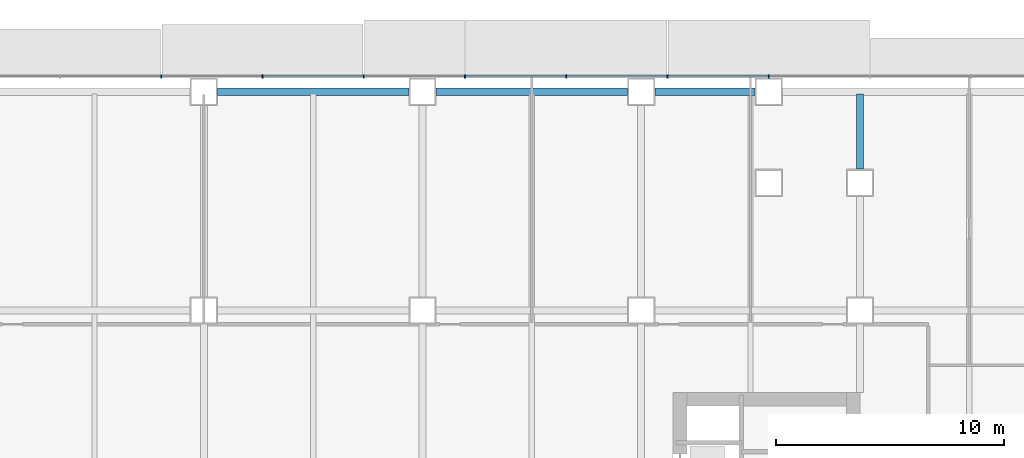
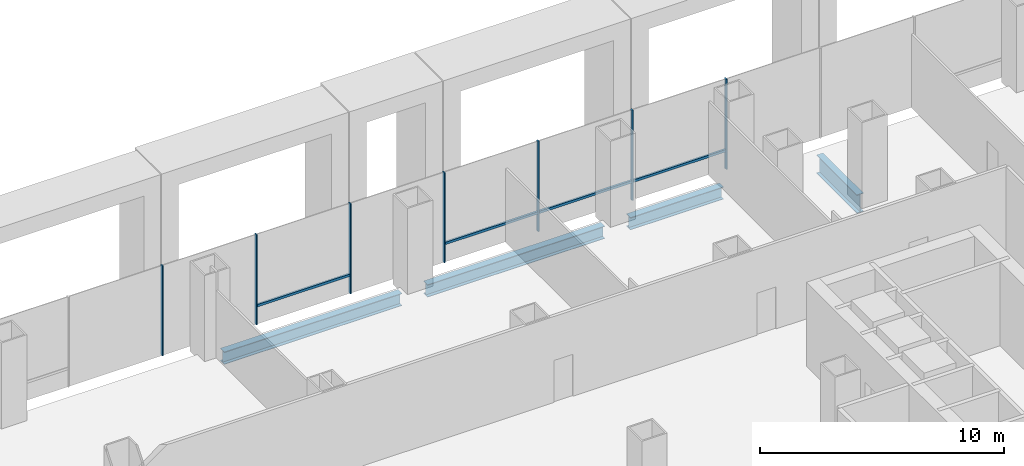
# One storey, part 9 of 23: 11 members, 4 beams, 1 element without a shape of its own.
"""IFC4 building model written with IfcOpenShell, lengths in metres."""

import ifcopenshell
import ifcopenshell.guid

model = None  # the IFC model being written
_history = None  # IfcOwnerHistory: only IFC2X3 demands one
_inside = {}  # id of a spatial element -> (the spatial element, [elements in it])
_under = {}  # id of a project, library or spatial element -> (it, [spatial elements below it])
_declared = {}  # id of a project -> (the project, [libraries it declares])
_typed = {}  # id of a type object -> (the type object, [elements of that type])
_made_of = {}  # id of a material, layer set ... -> (it, [elements and type objects made of it])


def new_model(schema):
    """Start an empty IFC model of exactly this schema.

    Asked for "IFC4X3", IfcOpenShell would pick the latest addendum, in which some entities
    have other attributes; the version numbers below select the first issue.
    IFC2X3 requires an IfcOwnerHistory on every rooted entity: one is made here for all.
    """
    global model, _history
    if schema == "IFC4X3":
        model = ifcopenshell.file(schema_version=(4, 3, 0, 0))
    else:
        model = ifcopenshell.file(schema=schema)
    _inside.clear()
    _under.clear()
    _declared.clear()
    _typed.clear()
    _made_of.clear()
    _history = None
    if model.schema == "IFC2X3":
        org = make("IfcOrganization", Name="unknown")
        user = make(
            "IfcPersonAndOrganization",
            ThePerson=make("IfcPerson", FamilyName="unknown"),
            TheOrganization=org,
        )
        app = make(
            "IfcApplication",
            ApplicationDeveloper=org,
            Version="unknown",
            ApplicationFullName="unknown",
            ApplicationIdentifier="unknown",
        )
        _history = make(
            "IfcOwnerHistory",
            OwningUser=user,
            OwningApplication=app,
            ChangeAction="ADDED",
            CreationDate=0,
        )
    return model


def make(cls, **values):
    """One entity of the class cls with the attributes given. An attribute that is None is left unset."""
    return model.create_entity(
        cls, **{name: value for name, value in values.items() if value is not None}
    )


def rooted(cls, **values):
    """An entity with a GlobalId (a new one), such as an element, a storey or a relation."""
    return make(cls, GlobalId=ifcopenshell.guid.new(), OwnerHistory=_history, **values)


def si_unit(unit_type, name, prefix=None):
    """IfcSIUnit, for example si_unit("LENGTHUNIT", "METRE", prefix="MILLI")."""
    return make("IfcSIUnit", UnitType=unit_type, Prefix=prefix, Name=name)


def assignment(units):
    """IfcUnitAssignment: the units of a project."""
    return None if units is None else make("IfcUnitAssignment", Units=units)


def point(xyz):
    """IfcCartesianPoint."""
    return None if xyz is None else make("IfcCartesianPoint", Coordinates=xyz)


def direction(xyz):
    """IfcDirection."""
    return None if xyz is None else make("IfcDirection", DirectionRatios=xyz)


def frame(location, z_axis=None, x_axis=None):
    """IfcAxis2Placement3D, a coordinate frame: its origin and axes. An axis left out is left unset."""
    return make(
        "IfcAxis2Placement3D",
        Location=point(location),
        Axis=direction(z_axis),
        RefDirection=direction(x_axis),
    )


def frame_2d(location, x_axis=None):
    """IfcAxis2Placement2D, a coordinate frame in the plane: its origin and x axis."""
    return make(
        "IfcAxis2Placement2D", Location=point(location), RefDirection=direction(x_axis)
    )


def origin():
    """The frame at (0, 0, 0) with its axes left unset."""
    return frame((0.0, 0.0, 0.0))


def origin_2d():
    """The frame at (0, 0) in the plane with its x axis left unset."""
    return frame_2d((0.0, 0.0))


def place(relative_to, where):
    """IfcLocalPlacement: puts the frame where relative to a parent placement (None: the world)."""
    return make(
        "IfcLocalPlacement", PlacementRelTo=relative_to, RelativePlacement=where
    )


def context(
    kind, dimensions, precision=None, world=None, true_north=None, identifier=None
):
    """IfcGeometricRepresentationContext, for example the 3D "Model" context."""
    return make(
        "IfcGeometricRepresentationContext",
        ContextIdentifier=identifier,
        ContextType=kind,
        CoordinateSpaceDimension=dimensions,
        Precision=precision,
        WorldCoordinateSystem=world,
        TrueNorth=true_north,
    )


def subcontext(parent, identifier, kind, view, scale=None):
    """IfcGeometricRepresentationSubContext, for example "Body" below "Model"."""
    return make(
        "IfcGeometricRepresentationSubContext",
        ContextIdentifier=identifier,
        ContextType=kind,
        ParentContext=parent,
        TargetScale=scale,
        TargetView=view,
    )


def project(units=None, contexts=None):
    """IfcProject with its units and contexts."""
    return rooted(
        "IfcProject",
        Name="project",
        RepresentationContexts=contexts,
        UnitsInContext=assignment(units),
    )


def spatial(cls, under=None, at=None, **own):
    """A site, building, storey or space (cls), placed at a placement, below another one or the project."""
    s = rooted(cls, ObjectPlacement=at, **own)
    if under is not None:
        _under.setdefault(under.id(), (under, []))[1].append(s)
    return s


def profile(cls, at=None, kind="AREA", **sizes):
    """A parametric profile (cls). Its sizes go by their IFC names, for example OverallWidth=200.0."""
    return make(cls, ProfileType=kind, Position=at, **sizes)


def rectangle(**sizes):
    """IfcRectangleProfileDef."""
    return profile("IfcRectangleProfileDef", **sizes)


def i_section(**sizes):
    """IfcIShapeProfileDef."""
    return profile("IfcIShapeProfileDef", **sizes)


def extrude(swept, where, along, depth):
    """IfcExtrudedAreaSolid: the profile swept, set in the frame where, extruded along a direction by depth."""
    return make(
        "IfcExtrudedAreaSolid",
        SweptArea=swept,
        Position=where,
        ExtrudedDirection=direction(along),
        Depth=depth,
    )


def shape(context_of_items, identifier, shape_type, items):
    """IfcShapeRepresentation: the items that make up one representation, for example the "Body"."""
    return make(
        "IfcShapeRepresentation",
        ContextOfItems=context_of_items,
        RepresentationIdentifier=identifier,
        RepresentationType=shape_type,
        Items=items,
    )


def material(Name=None, Category=None):
    """IfcMaterial."""
    return make("IfcMaterial", Name=Name, Category=Category)


def material_profile(
    of_material, cross_section, Name=None, Category=None, Priority=None
):
    """IfcMaterialProfile: a cross section and its material."""
    return make(
        "IfcMaterialProfile",
        Name=Name,
        Material=of_material,
        Profile=cross_section,
        Priority=Priority,
        Category=Category,
    )


def profile_set(profiles, Name=None, composite=None):
    """IfcMaterialProfileSet."""
    return make(
        "IfcMaterialProfileSet",
        Name=Name,
        MaterialProfiles=profiles,
        CompositeProfile=composite,
    )


def made_of(thing, what):
    """Note that an element or type object is made of a material, layer set ...; save() writes the relation."""
    if what is not None:
        _made_of.setdefault(what.id(), (what, []))[1].append(thing)
    return thing


def type_object(cls, material=None, **own):
    """A type object (cls), such as IfcWallType, which elements share."""
    return made_of(rooted(cls, **own), material)


def element(
    cls,
    number,
    at=None,
    inside=None,
    cuts=None,
    type_object=None,
    material=None,
    context=None,
    identifier="Body",
    shape_type=None,
    held_by="IfcProductDefinitionShape",
    body=None,
    shapes=None,
    **own,
):
    """One element of the class cls, such as IfcWall. Its Tag is "e" and its number.

    at: its placement. inside: the storey or other place that contains it. cuts: it is an
    opening in that element (IfcRelVoidsElement). A single representation is given by context,
    identifier, shape_type and body (its items); several are given by shapes. held_by: the class
    of the entity that holds the representations. save() writes the other relations.
    """
    e = rooted(cls, Tag="e%d" % number, ObjectPlacement=at, **own)
    if body is not None:
        shapes = [shape(context, identifier, shape_type, body)]
    if shapes is not None:
        e.Representation = make(held_by, Representations=shapes)
    if inside is not None:
        _inside.setdefault(inside.id(), (inside, []))[1].append(e)
    if cuts is not None:
        rooted(
            "IfcRelVoidsElement", RelatingBuildingElement=cuts, RelatedOpeningElement=e
        )
    if type_object is not None:
        _typed.setdefault(type_object.id(), (type_object, []))[1].append(e)
    return made_of(e, material)


def aggregate(whole, parts):
    """IfcRelAggregates: a whole, such as a stair, and the parts it consists of."""
    return rooted("IfcRelAggregates", RelatingObject=whole, RelatedObjects=parts)


def save(model, path):
    """Write the relations noted so far, then the file.

    IfcRelAggregates (storeys below a building ...), IfcRelContainedInSpatialStructure (elements
    in a storey), IfcRelDefinesByType, IfcRelAssociatesMaterial and IfcRelDeclares: one each for
    every whole, place, type object, material and project.
    """
    for whole, parts in _under.values():
        aggregate(whole, parts)
    for where, things in _inside.values():
        rooted(
            "IfcRelContainedInSpatialStructure",
            RelatedElements=things,
            RelatingStructure=where,
        )
    for kind, things in _typed.values():
        rooted("IfcRelDefinesByType", RelatedObjects=things, RelatingType=kind)
    for what, things in _made_of.values():
        rooted("IfcRelAssociatesMaterial", RelatedObjects=things, RelatingMaterial=what)
    for by, libraries in _declared.values():
        rooted("IfcRelDeclares", RelatingContext=by, RelatedDefinitions=libraries)
    model.write(path)


model = new_model("IFC4")

# Units and contexts
model_context = context("Model", 3, precision=1e-05, world=origin(), true_north=direction((0.0, 1.0)))
body_context = subcontext(model_context, "Body", "Model", "MODEL_VIEW")
ifc_project = project(units=[si_unit("LENGTHUNIT", "METRE"), si_unit("AREAUNIT", "SQUARE_METRE"), si_unit("VOLUMEUNIT", "CUBIC_METRE"), si_unit("PLANEANGLEUNIT", "RADIAN"), si_unit("MASSUNIT", "GRAM", prefix="KILO")], contexts=[model_context])

# Site, building, storey
site_placement = place(None, origin())
site = spatial("IfcSite", under=ifc_project, at=site_placement, CompositionType="ELEMENT")
building_placement = place(site_placement, origin())
building = spatial("IfcBuilding", under=site, at=building_placement, Name="Cobrizo Arcos Hotel Tower", CompositionType="ELEMENT")
storey_placement = place(building_placement, frame((0.0, 0.0, 24.5)))
storey = spatial("IfcBuildingStorey", under=building, at=storey_placement, Name="L04", CompositionType="ELEMENT", Elevation=24.5)

# Curtain wall, members
ifc_material_1 = material(Name="Aluminium 6063-T6 anodised bronze", Category="aluminium")
curtain_wall_type = type_object("IfcCurtainWallType", Name="CW-A guest facade", PredefinedType="NOTDEFINED", material=ifc_material_1)
curtain_wall_placement = place(storey_placement, origin())
curtain_wall = element("IfcCurtainWall", 1, at=curtain_wall_placement, inside=storey, type_object=curtain_wall_type, Name="CW-A L04 N face", PredefinedType="NOTDEFINED")
ifc_material_profile_1 = material_profile(ifc_material_1, rectangle(XDim=0.14990234375, YDim=0.06005859375, at=origin_2d()), Name="CW-A mullion 150x60")
ifc_profile_set_1 = profile_set([ifc_material_profile_1], Name="Aluminium 6063-T6 anodised bronze")
member_type_1 = type_object("IfcMemberType", Name="CW-A mullion 150x60", PredefinedType="MULLION", material=ifc_profile_set_1)
member_1_placement = place(storey_placement, frame((20.0, 24.675048828125, 0.0), z_axis=(0.0, 0.0, 1.0), x_axis=(0.0, 1.0, 0.0)))
member_1 = element("IfcMember", 2, at=member_1_placement, type_object=member_type_1, Name="CW-A mullion 5", PredefinedType="MULLION", context=body_context, shape_type="SweptSolid", body=[
    extrude(rectangle(XDim=0.14990234375, YDim=0.06005859375, at=origin_2d()), origin(), (0.0, 0.0, 1.0), 4.5),
])
member_2_placement = place(storey_placement, frame((15.5556640625, 24.675048828125, 0.0), z_axis=(0.0, 0.0, 1.0), x_axis=(0.0, 1.0, 0.0)))
member_2 = element("IfcMember", 3, at=member_2_placement, type_object=member_type_1, Name="CW-A mullion 6", PredefinedType="MULLION", context=body_context, shape_type="SweptSolid", body=[
    extrude(rectangle(XDim=0.14990234375, YDim=0.06005859375, at=origin_2d()), origin(), (0.0, 0.0, 1.0), 4.5),
])
member_3_placement = place(storey_placement, frame((11.111083984375, 24.675048828125, 0.0), z_axis=(0.0, 0.0, 1.0), x_axis=(0.0, 1.0, 0.0)))
member_3 = element("IfcMember", 4, at=member_3_placement, type_object=member_type_1, Name="CW-A mullion 7", PredefinedType="MULLION", context=body_context, shape_type="SweptSolid", body=[
    extrude(rectangle(XDim=0.14990234375, YDim=0.06005859375, at=origin_2d()), origin(), (0.0, 0.0, 1.0), 4.5),
])
member_4_placement = place(storey_placement, frame((6.666748046875, 24.675048828125, 0.0), z_axis=(0.0, 0.0, 1.0), x_axis=(0.0, 1.0, 0.0)))
member_4 = element("IfcMember", 5, at=member_4_placement, type_object=member_type_1, Name="CW-A mullion 8", PredefinedType="MULLION", context=body_context, shape_type="SweptSolid", body=[
    extrude(rectangle(XDim=0.14990234375, YDim=0.06005859375, at=origin_2d()), origin(), (0.0, 0.0, 1.0), 4.5),
])
member_5_placement = place(storey_placement, frame((2.22216796875, 24.675048828125, 0.0), z_axis=(0.0, 0.0, 1.0), x_axis=(0.0, 1.0, 0.0)))
member_5 = element("IfcMember", 6, at=member_5_placement, type_object=member_type_1, Name="CW-A mullion 9", PredefinedType="MULLION", context=body_context, shape_type="SweptSolid", body=[
    extrude(rectangle(XDim=0.14990234375, YDim=0.06005859375, at=origin_2d()), origin(), (0.0, 0.0, 1.0), 4.5),
])
member_6_placement = place(storey_placement, frame((-2.22216796875, 24.675048828125, 0.0), z_axis=(0.0, 0.0, 1.0), x_axis=(0.0, 1.0, 0.0)))
member_6 = element("IfcMember", 7, at=member_6_placement, type_object=member_type_1, Name="CW-A mullion 10", PredefinedType="MULLION", context=body_context, shape_type="SweptSolid", body=[
    extrude(rectangle(XDim=0.14990234375, YDim=0.06005859375, at=origin_2d()), origin(), (0.0, 0.0, 1.0), 4.5),
])
member_7_placement = place(storey_placement, frame((-6.666748046875, 24.675048828125, 0.0), z_axis=(0.0, 0.0, 1.0), x_axis=(0.0, 1.0, 0.0)))
member_7 = element("IfcMember", 8, at=member_7_placement, type_object=member_type_1, Name="CW-A mullion 11", PredefinedType="MULLION", context=body_context, shape_type="SweptSolid", body=[
    extrude(rectangle(XDim=0.14990234375, YDim=0.06005859375, at=origin_2d()), origin(), (0.0, 0.0, 1.0), 4.5),
])
ifc_material_profile_2 = material_profile(ifc_material_1, rectangle(XDim=0.10009765625, YDim=0.1201171875, at=origin_2d()), Name="CW-A transom 120x100")
ifc_profile_set_2 = profile_set([ifc_material_profile_2], Name="Aluminium 6063-T6 anodised bronze")
member_type_2 = type_object("IfcMemberType", Name="CW-A transom 120x100", PredefinedType="USERDEFINED", material=ifc_profile_set_2)
member_8_placement = place(storey_placement, frame((19.969970703125, 24.675048828125, 0.929931640625), z_axis=(-1.0, 0.0, 0.0), x_axis=(0.0, -1.0, 0.0)))
member_8 = element("IfcMember", 9, at=member_8_placement, type_object=member_type_2, Name="CW-A transom 229", ObjectType="TRANSOM", PredefinedType="USERDEFINED", context=body_context, shape_type="SweptSolid", body=[
    extrude(rectangle(XDim=0.10009765625, YDim=0.1201171875, at=origin_2d()), origin(), (0.0, 0.0, 1.0), 4.384521484375),
])
member_9_placement = place(storey_placement, frame((15.525634765625, 24.675048828125, 0.929931640625), z_axis=(-1.0, 0.0, 0.0), x_axis=(0.0, -1.0, 0.0)))
member_9 = element("IfcMember", 10, at=member_9_placement, type_object=member_type_2, Name="CW-A transom 230", ObjectType="TRANSOM", PredefinedType="USERDEFINED", context=body_context, shape_type="SweptSolid", body=[
    extrude(rectangle(XDim=0.10009765625, YDim=0.1201171875, at=origin_2d()), origin(), (0.0, 0.0, 1.0), 4.384521484375),
])
member_10_placement = place(storey_placement, frame((11.0810546875, 24.675048828125, 0.929931640625), z_axis=(-1.0, 0.0, 0.0), x_axis=(0.0, -1.0, 0.0)))
member_10 = element("IfcMember", 11, at=member_10_placement, type_object=member_type_2, Name="CW-A transom 231", ObjectType="TRANSOM", PredefinedType="USERDEFINED", context=body_context, shape_type="SweptSolid", body=[
    extrude(rectangle(XDim=0.10009765625, YDim=0.1201171875, at=origin_2d()), origin(), (0.0, 0.0, 1.0), 4.38427734375),
])
member_11_placement = place(storey_placement, frame((2.192138671875, 24.675048828125, 0.929931640625), z_axis=(-1.0, 0.0, 0.0), x_axis=(0.0, -1.0, 0.0)))
member_11 = element("IfcMember", 12, at=member_11_placement, type_object=member_type_2, Name="CW-A transom 233", ObjectType="TRANSOM", PredefinedType="USERDEFINED", context=body_context, shape_type="SweptSolid", body=[
    extrude(rectangle(XDim=0.10009765625, YDim=0.1201171875, at=origin_2d()), origin(), (0.0, 0.0, 1.0), 4.38427734375),
])
aggregate(curtain_wall, [member_1, member_2, member_3, member_4, member_5, member_6, member_7, member_8, member_9, member_10, member_11])

# Beams
ifc_material_2 = material(Name="Steel ASTM A992 Grade 50", Category="steel")
ifc_material_profile_3 = material_profile(ifc_material_2, i_section(OverallWidth=0.32763671875, OverallDepth=0.622314453125, WebThickness=0.015380859375, FlangeThickness=0.0244140625, at=origin_2d()), Name="W24X131")
ifc_profile_set_3 = profile_set([ifc_material_profile_3], Name="Steel ASTM A992 Grade 50")
beam_type_1 = type_object("IfcBeamType", Name="W24X131 spandrel", PredefinedType="SPANDREL", material=ifc_profile_set_3)
beam_1_placement = place(storey_placement, frame((19.39990234375, 24.0, -0.51123046875), z_axis=(-1.0, 0.0, 0.0), x_axis=(0.0, -1.0, 0.0)))
element("IfcBeam", 13, at=beam_1_placement, inside=storey, type_object=beam_type_1, Name="Spandrel beam W24X131, L04, no. 002", PredefinedType="SPANDREL", context=body_context, shape_type="SweptSolid", body=[
    extrude(i_section(OverallWidth=0.32763671875, OverallDepth=0.622314453125, WebThickness=0.015380859375, FlangeThickness=0.0244140625, at=origin_2d()), origin(), (0.0, 0.0, 1.0), 4.39990234375),
])
beam_2_placement = place(storey_placement, frame((13.800048828125, 24.0, -0.51123046875), z_axis=(-1.0, 0.0, 0.0), x_axis=(0.0, -1.0, 0.0)))
element("IfcBeam", 14, at=beam_2_placement, inside=storey, type_object=beam_type_1, Name="Spandrel beam W24X131, L04, no. 003", PredefinedType="SPANDREL", context=body_context, shape_type="SweptSolid", body=[
    extrude(i_section(OverallWidth=0.32763671875, OverallDepth=0.622314453125, WebThickness=0.015380859375, FlangeThickness=0.0244140625, at=origin_2d()), origin(), (0.0, 0.0, 1.0), 8.400146484375),
])
beam_3_placement = place(storey_placement, frame((4.199951171875, 24.0, -0.51123046875), z_axis=(-1.0, 0.0, 0.0), x_axis=(0.0, -1.0, 0.0)))
element("IfcBeam", 15, at=beam_3_placement, inside=storey, type_object=beam_type_1, Name="Spandrel beam W24X131, L04, no. 004", PredefinedType="SPANDREL", context=body_context, shape_type="SweptSolid", body=[
    extrude(i_section(OverallWidth=0.32763671875, OverallDepth=0.622314453125, WebThickness=0.015380859375, FlangeThickness=0.0244140625, at=origin_2d()), origin(), (0.0, 0.0, 1.0), 8.39990234375),
])
ifc_material_profile_4 = material_profile(ifc_material_2, i_section(OverallWidth=0.307373046875, OverallDepth=0.927001953125, WebThickness=0.01953125, FlangeThickness=0.031982421875, at=origin_2d()), Name="W36X194")
ifc_profile_set_4 = profile_set([ifc_material_profile_4], Name="Steel ASTM A992 Grade 50")
beam_type_2 = type_object("IfcBeamType", Name="W36X194 podium girder", PredefinedType="BEAM", material=ifc_profile_set_4)
beam_4_placement = place(storey_placement, frame((24.0, 20.60009765625, -0.66357421875), z_axis=(0.0, 1.0, 0.0), x_axis=(-1.0, 0.0, 0.0)))
element("IfcBeam", 16, at=beam_4_placement, inside=storey, type_object=beam_type_2, Name="Podium girder PG1, L04, no. 071", PredefinedType="BEAM", context=body_context, shape_type="SweptSolid", body=[
    extrude(i_section(OverallWidth=0.307373046875, OverallDepth=0.927001953125, WebThickness=0.01953125, FlangeThickness=0.031982421875, at=origin_2d()), origin(), (0.0, 0.0, 1.0), 3.309814453125),
])

save(model, "model.ifc")
